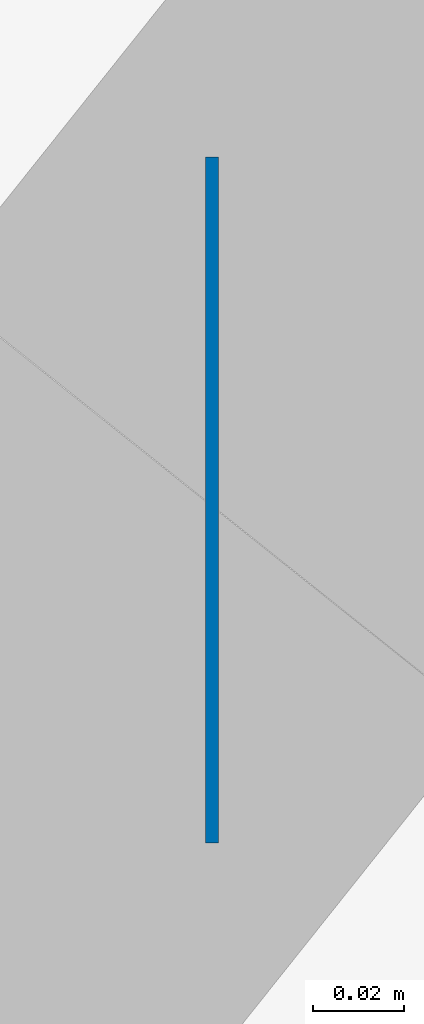
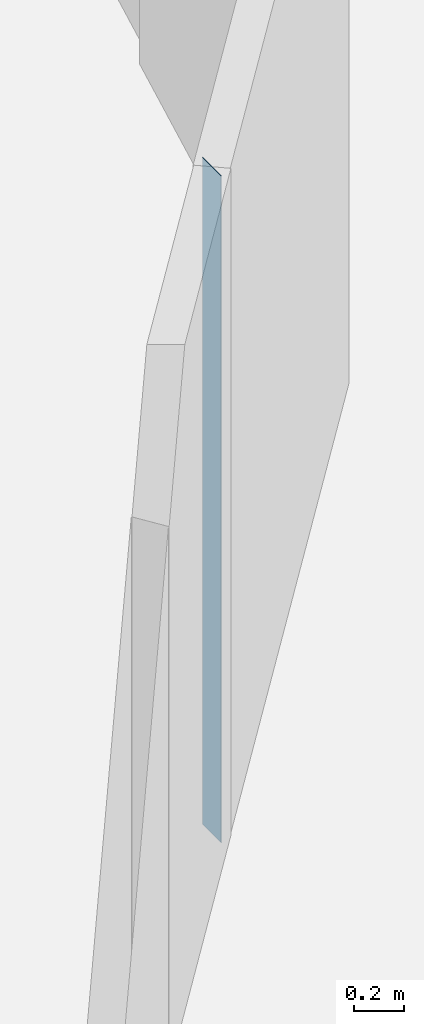
# One storey, part 4 of 12: 1 wall.
"""IFC4 building model written with IfcOpenShell, lengths in metres."""

from ifc_helpers import new_model, si_unit, direction, frame, frame_2d, origin, place, context, subcontext, project, spatial, rectangle, extrude, material, layer, layer_set, type_object, element, save


model = new_model("IFC4")

# Units and contexts
model_context = context("Model", 3, precision=1e-05, world=origin(), true_north=direction((0.0, 1.0)))
body_context = subcontext(model_context, "Body", "Model", "MODEL_VIEW")
ifc_project = project(units=[si_unit("LENGTHUNIT", "METRE"), si_unit("AREAUNIT", "SQUARE_METRE"), si_unit("VOLUMEUNIT", "CUBIC_METRE"), si_unit("PLANEANGLEUNIT", "RADIAN"), si_unit("MASSUNIT", "GRAM", prefix="KILO")], contexts=[model_context])

# Site, building, storey
site_placement = place(None, origin())
site = spatial("IfcSite", under=ifc_project, at=site_placement, CompositionType="ELEMENT")
building_placement = place(site_placement, origin())
building = spatial("IfcBuilding", under=site, at=building_placement, Name="Tracery Tower", CompositionType="ELEMENT")
storey_placement = place(building_placement, frame((0.0, 0.0, 245.39990234375)))
storey = spatial("IfcBuildingStorey", under=building, at=storey_placement, Name="L63", CompositionType="ELEMENT", Elevation=245.39990234375)

# Wall
ifc_material = material(Name="Plasterboard on steel studs", Category="steel")
ifc_layer = layer(ifc_material, 0.14990234375)
ifc_layer_set = layer_set([ifc_layer], Name="Partition 150 corridor wall")
wall_type = type_object("IfcWallType", Name="Partition 150 corridor wall", PredefinedType="PARTITIONING", material=ifc_layer_set)
wall_placement = place(storey_placement, frame((11.136962890625, -8.800048828125, 0.0), z_axis=(0.0, 0.0, 1.0), x_axis=(-1.0, 0.0, 0.0)))
element("IfcWall", 1, at=wall_placement, inside=storey, type_object=wall_type, Name="Corridor wall RC2-018", PredefinedType="PARTITIONING", context=body_context, shape_type="SweptSolid", body=[
    extrude(rectangle(XDim=0.0029296875, YDim=0.14990234375, at=frame_2d((0.00146484375, 0.0))), origin(), (0.0, 0.0, 1.0), 3.25),
])

save(model, "model.ifc")
